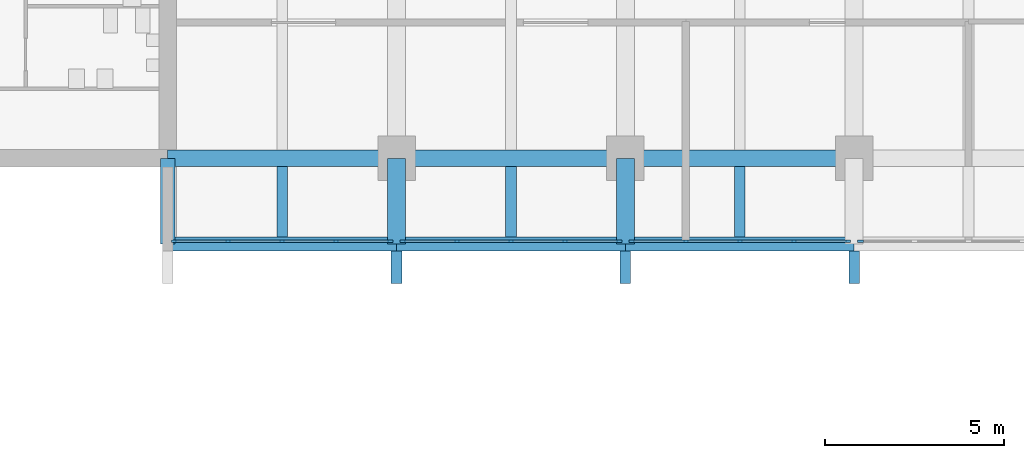
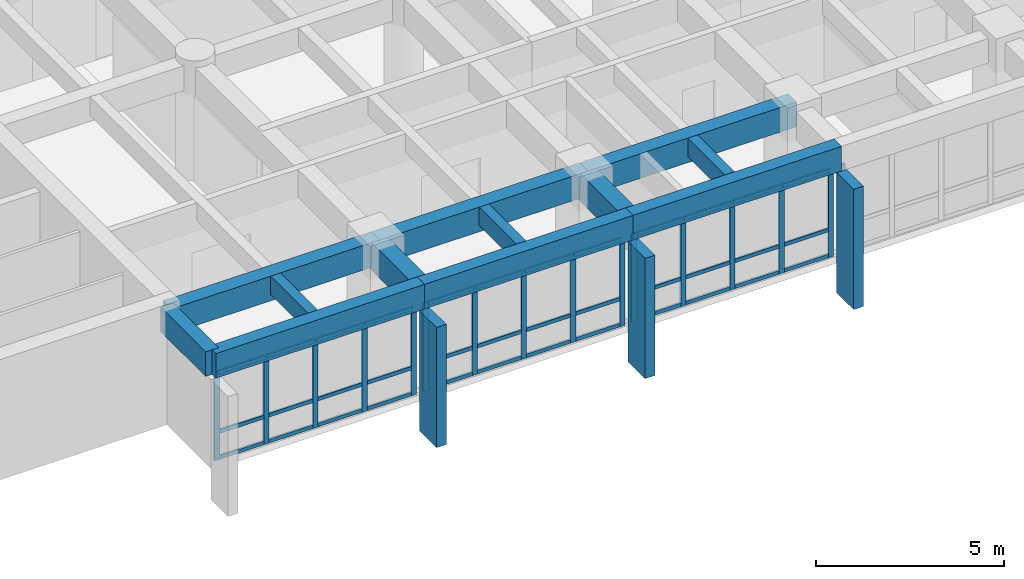
# One storey, part 2 of 19: 55 members, 12 beams, 4 elements without a shape of their own.
"""IFC4 building model written with IfcOpenShell, lengths in metres."""

from ifc_helpers import new_model, si_unit, direction, frame, origin, origin_2d, place, context, subcontext, project, spatial, rectangle, extrude, material, layer, layer_set, material_profile, profile_set, type_object, element, aggregate, save


model = new_model("IFC4")

# Units and contexts
model_context = context("Model", 3, precision=1e-05, world=origin(), true_north=direction((0.0, 1.0)))
body_context = subcontext(model_context, "Body", "Model", "MODEL_VIEW")
ifc_project = project(units=[si_unit("LENGTHUNIT", "METRE"), si_unit("AREAUNIT", "SQUARE_METRE"), si_unit("VOLUMEUNIT", "CUBIC_METRE"), si_unit("PLANEANGLEUNIT", "RADIAN"), si_unit("MASSUNIT", "GRAM", prefix="KILO")], contexts=[model_context])

# Site, building, storey
site_placement = place(None, origin())
site = spatial("IfcSite", under=ifc_project, at=site_placement, CompositionType="ELEMENT")
building_placement = place(site_placement, origin())
building = spatial("IfcBuilding", under=site, at=building_placement, Name="Fogon Plaza Fire Station and Headquarters Tower", CompositionType="ELEMENT")
storey_placement = place(building_placement, frame((0.0, 0.0, 21.0)))
storey = spatial("IfcBuildingStorey", under=building, at=storey_placement, Name="L05", CompositionType="ELEMENT", Elevation=21.0)

# Beams
ifc_material_1 = material(Name="Concrete C40", Category="concrete")
ifc_material_profile_1 = material_profile(ifc_material_1, rectangle(XDim=0.39990234375, YDim=0.800048828125, at=origin_2d()), Name="RC 400x800")
ifc_profile_set_1 = profile_set([ifc_material_profile_1], Name="Concrete C40")
beam_type_1 = type_object("IfcBeamType", Name="BEAM RC 400x800", PredefinedType="BEAM", material=ifc_profile_set_1)
for number, where, z_axis, x_axis, name in (
    (1, (25.60009765625, 31.199951171875, 3.280029296875), (1.0, 0.0, 0.0), (0.0, 1.0, 0.0), "beam-L05-039"),
    (2, (32.0, 31.199951171875, 3.280029296875), (1.0, 0.0, 0.0), (0.0, 1.0, 0.0), "beam-L05-040"),
):
    element("IfcBeam", number, at=place(storey_placement, frame(where, z_axis=z_axis, x_axis=x_axis)), inside=storey, type_object=beam_type_1, Name=name, PredefinedType="BEAM", context=body_context, shape_type="SweptSolid", body=[
        extrude(rectangle(XDim=0.39990234375, YDim=0.800048828125, at=origin_2d()), origin(), (0.0, 0.0, 1.0), 6.39990234375),
    ])
beam_1_placement = place(storey_placement, frame((38.39990234375, 31.199951171875, 3.280029296875), z_axis=(1.0, 0.0, 0.0), x_axis=(0.0, 1.0, 0.0)))
element("IfcBeam", 3, at=beam_1_placement, inside=storey, type_object=beam_type_1, Name="beam-L05-041", PredefinedType="BEAM", context=body_context, shape_type="SweptSolid", body=[
    extrude(rectangle(XDim=0.39990234375, YDim=0.800048828125, at=origin_2d()), origin(), (0.0, 0.0, 1.0), 6.400146484375),
])
ifc_material_2 = material(Name="Concrete C40", Category="concrete")
ifc_material_profile_2 = material_profile(ifc_material_2, rectangle(XDim=0.39990234375, YDim=0.800048828125, at=origin_2d()), Name="RC 400x800")
ifc_profile_set_2 = profile_set([ifc_material_profile_2], Name="Concrete C40")
beam_type_2 = type_object("IfcBeamType", Name="BEAM RC 400x800 SPAN 0.0 TO 3.0 M", PredefinedType="BEAM", material=ifc_profile_set_2)
beam_2_placement = place(storey_placement, frame((25.60009765625, 31.199951171875, 3.280029296875), z_axis=(0.0, 1.0, 0.0), x_axis=(-1.0, 0.0, 0.0)))
element("IfcBeam", 4, at=beam_2_placement, inside=storey, type_object=beam_type_2, Name="beam-L05-051", PredefinedType="BEAM", context=body_context, shape_type="SweptSolid", body=[
    extrude(rectangle(XDim=0.39990234375, YDim=0.800048828125, at=origin_2d()), origin(), (0.0, 0.0, 1.0), 2.400146484375),
])
ifc_material_3 = material(Name="Concrete C40", Category="concrete")
ifc_material_profile_3 = material_profile(ifc_material_3, rectangle(XDim=0.449951171875, YDim=0.800048828125, at=origin_2d()), Name="RC 450x800")
ifc_profile_set_3 = profile_set([ifc_material_profile_3], Name="Concrete C40")
beam_type_3 = type_object("IfcBeamType", Name="BEAM RC 450x800", PredefinedType="BEAM", material=ifc_profile_set_3)
for number, where, z_axis, x_axis, name in (
    (5, (25.60009765625, 33.60009765625, 3.280029296875), (1.0, 0.0, 0.0), (0.0, 1.0, 0.0), "beam-L05-021"),
    (6, (32.0, 33.60009765625, 3.280029296875), (1.0, 0.0, 0.0), (0.0, 1.0, 0.0), "beam-L05-022"),
):
    element("IfcBeam", number, at=place(storey_placement, frame(where, z_axis=z_axis, x_axis=x_axis)), inside=storey, type_object=beam_type_3, Name=name, PredefinedType="BEAM", context=body_context, shape_type="SweptSolid", body=[
        extrude(rectangle(XDim=0.449951171875, YDim=0.800048828125, at=origin_2d()), origin(), (0.0, 0.0, 1.0), 6.39990234375),
    ])
beam_3_placement = place(storey_placement, frame((38.39990234375, 33.60009765625, 3.280029296875), z_axis=(1.0, 0.0, 0.0), x_axis=(0.0, 1.0, 0.0)))
element("IfcBeam", 7, at=beam_3_placement, inside=storey, type_object=beam_type_3, Name="beam-L05-023", PredefinedType="BEAM", context=body_context, shape_type="SweptSolid", body=[
    extrude(rectangle(XDim=0.449951171875, YDim=0.800048828125, at=origin_2d()), origin(), (0.0, 0.0, 1.0), 6.400146484375),
])
ifc_material_4 = material(Name="Concrete C40", Category="concrete")
ifc_material_profile_4 = material_profile(ifc_material_4, rectangle(XDim=0.5, YDim=0.89990234375, at=origin_2d()), Name="RC 500x900")
ifc_profile_set_4 = profile_set([ifc_material_profile_4], Name="Concrete C40")
beam_type_4 = type_object("IfcBeamType", Name="BEAM RC 500x900 SPAN 0.0 TO 3.0 M", PredefinedType="BEAM", material=ifc_profile_set_4)
for number, where, z_axis, x_axis, name in (
    (8, (32.0, 31.199951171875, 3.22998046875), (0.0, 1.0, 0.0), (-1.0, 0.0, 0.0), "beam-L05-001"),
    (9, (38.39990234375, 31.199951171875, 3.22998046875), (0.0, 1.0, 0.0), (-1.0, 0.0, 0.0), "beam-L05-005"),
):
    element("IfcBeam", number, at=place(storey_placement, frame(where, z_axis=z_axis, x_axis=x_axis)), inside=storey, type_object=beam_type_4, Name=name, PredefinedType="BEAM", context=body_context, shape_type="SweptSolid", body=[
        extrude(rectangle(XDim=0.5, YDim=0.89990234375, at=origin_2d()), origin(), (0.0, 0.0, 1.0), 2.400146484375),
    ])

# Curtain wall, members
ifc_material_5 = material(Name="Aluminium and glass", Category="aluminium")
ifc_layer = layer(ifc_material_5, 0.14990234375)
ifc_layer_set = layer_set([ifc_layer], Name="Aluminium and glass")
curtain_wall_type = type_object("IfcCurtainWallType", Name="Unitised Curtain Wall Run 6100x2880", PredefinedType="NOTDEFINED", material=ifc_layer_set)
curtain_wall_1_placement = place(storey_placement, origin())
curtain_wall_1 = element("IfcCurtainWall", 10, at=curtain_wall_1_placement, inside=storey, type_object=curtain_wall_type, Name="CW-6100x2880 S1 L05", PredefinedType="NOTDEFINED")
ifc_material_6 = material(Name="Aluminium", Category="aluminium")
ifc_material_profile_5 = material_profile(ifc_material_6, rectangle(XDim=0.06005859375, YDim=0.159912109375, at=origin_2d()), Name="Curtain Wall Mullion 60x160")
ifc_profile_set_5 = profile_set([ifc_material_profile_5], Name="Aluminium")
member_type_1 = type_object("IfcMemberType", Name="Curtain Wall Mullion 60x160", PredefinedType="MULLION", material=ifc_profile_set_5)
member_1_placement = place(storey_placement, frame((25.780029296875, 31.280029296875, 0.0), z_axis=(0.0, 0.0, 1.0), x_axis=(0.0, 1.0, 0.0)))
member_1 = element("IfcMember", 11, at=member_1_placement, type_object=member_type_1, Name="CW-6100x2880 mullion 1", PredefinedType="MULLION", context=body_context, shape_type="SweptSolid", body=[
    extrude(rectangle(XDim=0.06005859375, YDim=0.159912109375, at=origin_2d()), origin(), (0.0, 0.0, 1.0), 2.8798828125),
])
member_2_placement = place(storey_placement, frame((27.2900390625, 31.280029296875, 0.0), z_axis=(0.0, 0.0, 1.0), x_axis=(0.0, 1.0, 0.0)))
member_2 = element("IfcMember", 12, at=member_2_placement, type_object=member_type_1, Name="CW-6100x2880 mullion 2", PredefinedType="MULLION", context=body_context, shape_type="SweptSolid", body=[
    extrude(rectangle(XDim=0.06005859375, YDim=0.159912109375, at=origin_2d()), origin(), (0.0, 0.0, 1.0), 2.8798828125),
])
member_3_placement = place(storey_placement, frame((28.800048828125, 31.280029296875, 0.0), z_axis=(0.0, 0.0, 1.0), x_axis=(0.0, 1.0, 0.0)))
member_3 = element("IfcMember", 13, at=member_3_placement, type_object=member_type_1, Name="CW-6100x2880 mullion 3", PredefinedType="MULLION", context=body_context, shape_type="SweptSolid", body=[
    extrude(rectangle(XDim=0.06005859375, YDim=0.159912109375, at=origin_2d()), origin(), (0.0, 0.0, 1.0), 2.8798828125),
])
member_4_placement = place(storey_placement, frame((30.31005859375, 31.280029296875, 0.0), z_axis=(0.0, 0.0, 1.0), x_axis=(0.0, 1.0, 0.0)))
member_4 = element("IfcMember", 14, at=member_4_placement, type_object=member_type_1, Name="CW-6100x2880 mullion 4", PredefinedType="MULLION", context=body_context, shape_type="SweptSolid", body=[
    extrude(rectangle(XDim=0.06005859375, YDim=0.159912109375, at=origin_2d()), origin(), (0.0, 0.0, 1.0), 2.8798828125),
])
member_5_placement = place(storey_placement, frame((31.820068359375, 31.280029296875, 0.0), z_axis=(0.0, 0.0, 1.0), x_axis=(0.0, 1.0, 0.0)))
member_5 = element("IfcMember", 15, at=member_5_placement, type_object=member_type_1, Name="CW-6100x2880 mullion 5", PredefinedType="MULLION", context=body_context, shape_type="SweptSolid", body=[
    extrude(rectangle(XDim=0.06005859375, YDim=0.159912109375, at=origin_2d()), origin(), (0.0, 0.0, 1.0), 2.8798828125),
])

curtain_wall_2_placement = place(storey_placement, origin())
curtain_wall_2 = element("IfcCurtainWall", 16, at=curtain_wall_2_placement, inside=storey, type_object=curtain_wall_type, Name="CW-6100x2880 S2 L05", PredefinedType="NOTDEFINED")
member_6_placement = place(storey_placement, frame((32.179931640625, 31.280029296875, 0.0), z_axis=(0.0, 0.0, 1.0), x_axis=(0.0, 1.0, 0.0)))
member_6 = element("IfcMember", 17, at=member_6_placement, type_object=member_type_1, Name="CW-6100x2880 mullion 1", PredefinedType="MULLION", context=body_context, shape_type="SweptSolid", body=[
    extrude(rectangle(XDim=0.06005859375, YDim=0.159912109375, at=origin_2d()), origin(), (0.0, 0.0, 1.0), 2.8798828125),
])
member_7_placement = place(storey_placement, frame((33.68994140625, 31.280029296875, 0.0), z_axis=(0.0, 0.0, 1.0), x_axis=(0.0, 1.0, 0.0)))
member_7 = element("IfcMember", 18, at=member_7_placement, type_object=member_type_1, Name="CW-6100x2880 mullion 2", PredefinedType="MULLION", context=body_context, shape_type="SweptSolid", body=[
    extrude(rectangle(XDim=0.06005859375, YDim=0.159912109375, at=origin_2d()), origin(), (0.0, 0.0, 1.0), 2.8798828125),
])
member_8_placement = place(storey_placement, frame((35.199951171875, 31.280029296875, 0.0), z_axis=(0.0, 0.0, 1.0), x_axis=(0.0, 1.0, 0.0)))
member_8 = element("IfcMember", 19, at=member_8_placement, type_object=member_type_1, Name="CW-6100x2880 mullion 3", PredefinedType="MULLION", context=body_context, shape_type="SweptSolid", body=[
    extrude(rectangle(XDim=0.06005859375, YDim=0.159912109375, at=origin_2d()), origin(), (0.0, 0.0, 1.0), 2.8798828125),
])
member_9_placement = place(storey_placement, frame((36.7099609375, 31.280029296875, 0.0), z_axis=(0.0, 0.0, 1.0), x_axis=(0.0, 1.0, 0.0)))
member_9 = element("IfcMember", 20, at=member_9_placement, type_object=member_type_1, Name="CW-6100x2880 mullion 4", PredefinedType="MULLION", context=body_context, shape_type="SweptSolid", body=[
    extrude(rectangle(XDim=0.06005859375, YDim=0.159912109375, at=origin_2d()), origin(), (0.0, 0.0, 1.0), 2.8798828125),
])
member_10_placement = place(storey_placement, frame((38.219970703125, 31.280029296875, 0.0), z_axis=(0.0, 0.0, 1.0), x_axis=(0.0, 1.0, 0.0)))
member_10 = element("IfcMember", 21, at=member_10_placement, type_object=member_type_1, Name="CW-6100x2880 mullion 5", PredefinedType="MULLION", context=body_context, shape_type="SweptSolid", body=[
    extrude(rectangle(XDim=0.06005859375, YDim=0.159912109375, at=origin_2d()), origin(), (0.0, 0.0, 1.0), 2.8798828125),
])

curtain_wall_3_placement = place(storey_placement, origin())
curtain_wall_3 = element("IfcCurtainWall", 22, at=curtain_wall_3_placement, inside=storey, type_object=curtain_wall_type, Name="CW-6100x2880 S3 L05", PredefinedType="NOTDEFINED")
member_11_placement = place(storey_placement, frame((38.580078125, 31.280029296875, 0.0), z_axis=(0.0, 0.0, 1.0), x_axis=(0.0, 1.0, 0.0)))
member_11 = element("IfcMember", 23, at=member_11_placement, type_object=member_type_1, Name="CW-6100x2880 mullion 1", PredefinedType="MULLION", context=body_context, shape_type="SweptSolid", body=[
    extrude(rectangle(XDim=0.06005859375, YDim=0.159912109375, at=origin_2d()), origin(), (0.0, 0.0, 1.0), 2.8798828125),
])
member_12_placement = place(storey_placement, frame((40.090087890625, 31.280029296875, 0.0), z_axis=(0.0, 0.0, 1.0), x_axis=(0.0, 1.0, 0.0)))
member_12 = element("IfcMember", 24, at=member_12_placement, type_object=member_type_1, Name="CW-6100x2880 mullion 2", PredefinedType="MULLION", context=body_context, shape_type="SweptSolid", body=[
    extrude(rectangle(XDim=0.06005859375, YDim=0.159912109375, at=origin_2d()), origin(), (0.0, 0.0, 1.0), 2.8798828125),
])
member_13_placement = place(storey_placement, frame((41.60009765625, 31.280029296875, 0.0), z_axis=(0.0, 0.0, 1.0), x_axis=(0.0, 1.0, 0.0)))
member_13 = element("IfcMember", 25, at=member_13_placement, type_object=member_type_1, Name="CW-6100x2880 mullion 3", PredefinedType="MULLION", context=body_context, shape_type="SweptSolid", body=[
    extrude(rectangle(XDim=0.06005859375, YDim=0.159912109375, at=origin_2d()), origin(), (0.0, 0.0, 1.0), 2.8798828125),
])
member_14_placement = place(storey_placement, frame((43.110107421875, 31.280029296875, 0.0), z_axis=(0.0, 0.0, 1.0), x_axis=(0.0, 1.0, 0.0)))
member_14 = element("IfcMember", 26, at=member_14_placement, type_object=member_type_1, Name="CW-6100x2880 mullion 4", PredefinedType="MULLION", context=body_context, shape_type="SweptSolid", body=[
    extrude(rectangle(XDim=0.06005859375, YDim=0.159912109375, at=origin_2d()), origin(), (0.0, 0.0, 1.0), 2.8798828125),
])
member_15_placement = place(storey_placement, frame((44.6201171875, 31.280029296875, 0.0), z_axis=(0.0, 0.0, 1.0), x_axis=(0.0, 1.0, 0.0)))
member_15 = element("IfcMember", 27, at=member_15_placement, type_object=member_type_1, Name="CW-6100x2880 mullion 5", PredefinedType="MULLION", context=body_context, shape_type="SweptSolid", body=[
    extrude(rectangle(XDim=0.06005859375, YDim=0.159912109375, at=origin_2d()), origin(), (0.0, 0.0, 1.0), 2.8798828125),
])

# Curtain wall, member
curtain_wall_4_placement = place(storey_placement, origin())
curtain_wall_4 = element("IfcCurtainWall", 28, at=curtain_wall_4_placement, inside=storey, type_object=curtain_wall_type, Name="CW-6100x2880 S4 L05", PredefinedType="NOTDEFINED")
member_16_placement = place(storey_placement, frame((44.97998046875, 31.280029296875, 0.0), z_axis=(0.0, 0.0, 1.0), x_axis=(0.0, 1.0, 0.0)))
member_16 = element("IfcMember", 29, at=member_16_placement, type_object=member_type_1, Name="CW-6100x2880 mullion 1", PredefinedType="MULLION", context=body_context, shape_type="SweptSolid", body=[
    extrude(rectangle(XDim=0.06005859375, YDim=0.159912109375, at=origin_2d()), origin(), (0.0, 0.0, 1.0), 2.8798828125),
])
aggregate(curtain_wall_4, [member_16])

# Member
ifc_material_7 = material(Name="Aluminium", Category="aluminium")
ifc_material_profile_6 = material_profile(ifc_material_7, rectangle(XDim=0.06005859375, YDim=0.1201171875, at=origin_2d()), Name="Curtain Wall Transom 60x120")
ifc_profile_set_6 = profile_set([ifc_material_profile_6], Name="Aluminium")
member_type_2 = type_object("IfcMemberType", Name="Curtain Wall Transom 60x120", PredefinedType="USERDEFINED", material=ifc_profile_set_6)
member_17_placement = place(storey_placement, frame((25.81005859375, 31.280029296875, 0.06005859375), z_axis=(1.0, 0.0, 0.0), x_axis=(0.0, 1.0, 0.0)))
member_17 = element("IfcMember", 30, at=member_17_placement, type_object=member_type_2, Name="CW-6100x2880 transom 1.1", ObjectType="TRANSOM", PredefinedType="USERDEFINED", context=body_context, shape_type="SweptSolid", body=[
    extrude(rectangle(XDim=0.06005859375, YDim=0.1201171875, at=origin_2d()), origin(), (0.0, 0.0, 1.0), 1.449951171875),
])

member_18_placement = place(storey_placement, frame((25.81005859375, 31.280029296875, 0.89990234375), z_axis=(1.0, 0.0, 0.0), x_axis=(0.0, 1.0, 0.0)))
member_18 = element("IfcMember", 31, at=member_18_placement, type_object=member_type_2, Name="CW-6100x2880 transom 1.2", ObjectType="TRANSOM", PredefinedType="USERDEFINED", context=body_context, shape_type="SweptSolid", body=[
    extrude(rectangle(XDim=0.06005859375, YDim=0.1201171875, at=origin_2d()), origin(), (0.0, 0.0, 1.0), 1.449951171875),
])

member_19_placement = place(storey_placement, frame((25.81005859375, 31.280029296875, 2.820068359375), z_axis=(1.0, 0.0, 0.0), x_axis=(0.0, 1.0, 0.0)))
member_19 = element("IfcMember", 32, at=member_19_placement, type_object=member_type_2, Name="CW-6100x2880 transom 1.3", ObjectType="TRANSOM", PredefinedType="USERDEFINED", context=body_context, shape_type="SweptSolid", body=[
    extrude(rectangle(XDim=0.06005859375, YDim=0.1201171875, at=origin_2d()), origin(), (0.0, 0.0, 1.0), 1.449951171875),
])

member_20_placement = place(storey_placement, frame((27.320068359375, 31.280029296875, 0.06005859375), z_axis=(1.0, 0.0, 0.0), x_axis=(0.0, 1.0, 0.0)))
member_20 = element("IfcMember", 33, at=member_20_placement, type_object=member_type_2, Name="CW-6100x2880 transom 2.1", ObjectType="TRANSOM", PredefinedType="USERDEFINED", context=body_context, shape_type="SweptSolid", body=[
    extrude(rectangle(XDim=0.06005859375, YDim=0.1201171875, at=origin_2d()), origin(), (0.0, 0.0, 1.0), 1.449951171875),
])

member_21_placement = place(storey_placement, frame((27.320068359375, 31.280029296875, 0.89990234375), z_axis=(1.0, 0.0, 0.0), x_axis=(0.0, 1.0, 0.0)))
member_21 = element("IfcMember", 34, at=member_21_placement, type_object=member_type_2, Name="CW-6100x2880 transom 2.2", ObjectType="TRANSOM", PredefinedType="USERDEFINED", context=body_context, shape_type="SweptSolid", body=[
    extrude(rectangle(XDim=0.06005859375, YDim=0.1201171875, at=origin_2d()), origin(), (0.0, 0.0, 1.0), 1.449951171875),
])

member_22_placement = place(storey_placement, frame((27.320068359375, 31.280029296875, 2.820068359375), z_axis=(1.0, 0.0, 0.0), x_axis=(0.0, 1.0, 0.0)))
member_22 = element("IfcMember", 35, at=member_22_placement, type_object=member_type_2, Name="CW-6100x2880 transom 2.3", ObjectType="TRANSOM", PredefinedType="USERDEFINED", context=body_context, shape_type="SweptSolid", body=[
    extrude(rectangle(XDim=0.06005859375, YDim=0.1201171875, at=origin_2d()), origin(), (0.0, 0.0, 1.0), 1.449951171875),
])

member_23_placement = place(storey_placement, frame((28.830078125, 31.280029296875, 0.06005859375), z_axis=(1.0, 0.0, 0.0), x_axis=(0.0, 1.0, 0.0)))
member_23 = element("IfcMember", 36, at=member_23_placement, type_object=member_type_2, Name="CW-6100x2880 transom 3.1", ObjectType="TRANSOM", PredefinedType="USERDEFINED", context=body_context, shape_type="SweptSolid", body=[
    extrude(rectangle(XDim=0.06005859375, YDim=0.1201171875, at=origin_2d()), origin(), (0.0, 0.0, 1.0), 1.449951171875),
])

member_24_placement = place(storey_placement, frame((28.830078125, 31.280029296875, 0.89990234375), z_axis=(1.0, 0.0, 0.0), x_axis=(0.0, 1.0, 0.0)))
member_24 = element("IfcMember", 37, at=member_24_placement, type_object=member_type_2, Name="CW-6100x2880 transom 3.2", ObjectType="TRANSOM", PredefinedType="USERDEFINED", context=body_context, shape_type="SweptSolid", body=[
    extrude(rectangle(XDim=0.06005859375, YDim=0.1201171875, at=origin_2d()), origin(), (0.0, 0.0, 1.0), 1.449951171875),
])

member_25_placement = place(storey_placement, frame((28.830078125, 31.280029296875, 2.820068359375), z_axis=(1.0, 0.0, 0.0), x_axis=(0.0, 1.0, 0.0)))
member_25 = element("IfcMember", 38, at=member_25_placement, type_object=member_type_2, Name="CW-6100x2880 transom 3.3", ObjectType="TRANSOM", PredefinedType="USERDEFINED", context=body_context, shape_type="SweptSolid", body=[
    extrude(rectangle(XDim=0.06005859375, YDim=0.1201171875, at=origin_2d()), origin(), (0.0, 0.0, 1.0), 1.449951171875),
])

member_26_placement = place(storey_placement, frame((30.340087890625, 31.280029296875, 0.06005859375), z_axis=(1.0, 0.0, 0.0), x_axis=(0.0, 1.0, 0.0)))
member_26 = element("IfcMember", 39, at=member_26_placement, type_object=member_type_2, Name="CW-6100x2880 transom 4.1", ObjectType="TRANSOM", PredefinedType="USERDEFINED", context=body_context, shape_type="SweptSolid", body=[
    extrude(rectangle(XDim=0.06005859375, YDim=0.1201171875, at=origin_2d()), origin(), (0.0, 0.0, 1.0), 1.449951171875),
])

member_27_placement = place(storey_placement, frame((30.340087890625, 31.280029296875, 0.89990234375), z_axis=(1.0, 0.0, 0.0), x_axis=(0.0, 1.0, 0.0)))
member_27 = element("IfcMember", 40, at=member_27_placement, type_object=member_type_2, Name="CW-6100x2880 transom 4.2", ObjectType="TRANSOM", PredefinedType="USERDEFINED", context=body_context, shape_type="SweptSolid", body=[
    extrude(rectangle(XDim=0.06005859375, YDim=0.1201171875, at=origin_2d()), origin(), (0.0, 0.0, 1.0), 1.449951171875),
])

member_28_placement = place(storey_placement, frame((30.340087890625, 31.280029296875, 2.820068359375), z_axis=(1.0, 0.0, 0.0), x_axis=(0.0, 1.0, 0.0)))
member_28 = element("IfcMember", 41, at=member_28_placement, type_object=member_type_2, Name="CW-6100x2880 transom 4.3", ObjectType="TRANSOM", PredefinedType="USERDEFINED", context=body_context, shape_type="SweptSolid", body=[
    extrude(rectangle(XDim=0.06005859375, YDim=0.1201171875, at=origin_2d()), origin(), (0.0, 0.0, 1.0), 1.449951171875),
])

aggregate(curtain_wall_1, [member_1, member_2, member_3, member_4, member_5, member_17, member_18, member_19, member_20, member_21, member_22, member_23, member_24, member_25, member_26, member_27, member_28])

member_29_placement = place(storey_placement, frame((32.2099609375, 31.280029296875, 0.06005859375), z_axis=(1.0, 0.0, 0.0), x_axis=(0.0, 1.0, 0.0)))
member_29 = element("IfcMember", 42, at=member_29_placement, type_object=member_type_2, Name="CW-6100x2880 transom 1.1", ObjectType="TRANSOM", PredefinedType="USERDEFINED", context=body_context, shape_type="SweptSolid", body=[
    extrude(rectangle(XDim=0.06005859375, YDim=0.1201171875, at=origin_2d()), origin(), (0.0, 0.0, 1.0), 1.449951171875),
])

member_30_placement = place(storey_placement, frame((32.2099609375, 31.280029296875, 0.89990234375), z_axis=(1.0, 0.0, 0.0), x_axis=(0.0, 1.0, 0.0)))
member_30 = element("IfcMember", 43, at=member_30_placement, type_object=member_type_2, Name="CW-6100x2880 transom 1.2", ObjectType="TRANSOM", PredefinedType="USERDEFINED", context=body_context, shape_type="SweptSolid", body=[
    extrude(rectangle(XDim=0.06005859375, YDim=0.1201171875, at=origin_2d()), origin(), (0.0, 0.0, 1.0), 1.449951171875),
])

member_31_placement = place(storey_placement, frame((32.2099609375, 31.280029296875, 2.820068359375), z_axis=(1.0, 0.0, 0.0), x_axis=(0.0, 1.0, 0.0)))
member_31 = element("IfcMember", 44, at=member_31_placement, type_object=member_type_2, Name="CW-6100x2880 transom 1.3", ObjectType="TRANSOM", PredefinedType="USERDEFINED", context=body_context, shape_type="SweptSolid", body=[
    extrude(rectangle(XDim=0.06005859375, YDim=0.1201171875, at=origin_2d()), origin(), (0.0, 0.0, 1.0), 1.449951171875),
])

member_32_placement = place(storey_placement, frame((33.719970703125, 31.280029296875, 0.06005859375), z_axis=(1.0, 0.0, 0.0), x_axis=(0.0, 1.0, 0.0)))
member_32 = element("IfcMember", 45, at=member_32_placement, type_object=member_type_2, Name="CW-6100x2880 transom 2.1", ObjectType="TRANSOM", PredefinedType="USERDEFINED", context=body_context, shape_type="SweptSolid", body=[
    extrude(rectangle(XDim=0.06005859375, YDim=0.1201171875, at=origin_2d()), origin(), (0.0, 0.0, 1.0), 1.449951171875),
])

member_33_placement = place(storey_placement, frame((33.719970703125, 31.280029296875, 0.89990234375), z_axis=(1.0, 0.0, 0.0), x_axis=(0.0, 1.0, 0.0)))
member_33 = element("IfcMember", 46, at=member_33_placement, type_object=member_type_2, Name="CW-6100x2880 transom 2.2", ObjectType="TRANSOM", PredefinedType="USERDEFINED", context=body_context, shape_type="SweptSolid", body=[
    extrude(rectangle(XDim=0.06005859375, YDim=0.1201171875, at=origin_2d()), origin(), (0.0, 0.0, 1.0), 1.449951171875),
])

member_34_placement = place(storey_placement, frame((33.719970703125, 31.280029296875, 2.820068359375), z_axis=(1.0, 0.0, 0.0), x_axis=(0.0, 1.0, 0.0)))
member_34 = element("IfcMember", 47, at=member_34_placement, type_object=member_type_2, Name="CW-6100x2880 transom 2.3", ObjectType="TRANSOM", PredefinedType="USERDEFINED", context=body_context, shape_type="SweptSolid", body=[
    extrude(rectangle(XDim=0.06005859375, YDim=0.1201171875, at=origin_2d()), origin(), (0.0, 0.0, 1.0), 1.449951171875),
])

member_35_placement = place(storey_placement, frame((35.22998046875, 31.280029296875, 0.06005859375), z_axis=(1.0, 0.0, 0.0), x_axis=(0.0, 1.0, 0.0)))
member_35 = element("IfcMember", 48, at=member_35_placement, type_object=member_type_2, Name="CW-6100x2880 transom 3.1", ObjectType="TRANSOM", PredefinedType="USERDEFINED", context=body_context, shape_type="SweptSolid", body=[
    extrude(rectangle(XDim=0.06005859375, YDim=0.1201171875, at=origin_2d()), origin(), (0.0, 0.0, 1.0), 1.449951171875),
])

member_36_placement = place(storey_placement, frame((35.22998046875, 31.280029296875, 0.89990234375), z_axis=(1.0, 0.0, 0.0), x_axis=(0.0, 1.0, 0.0)))
member_36 = element("IfcMember", 49, at=member_36_placement, type_object=member_type_2, Name="CW-6100x2880 transom 3.2", ObjectType="TRANSOM", PredefinedType="USERDEFINED", context=body_context, shape_type="SweptSolid", body=[
    extrude(rectangle(XDim=0.06005859375, YDim=0.1201171875, at=origin_2d()), origin(), (0.0, 0.0, 1.0), 1.449951171875),
])

member_37_placement = place(storey_placement, frame((35.22998046875, 31.280029296875, 2.820068359375), z_axis=(1.0, 0.0, 0.0), x_axis=(0.0, 1.0, 0.0)))
member_37 = element("IfcMember", 50, at=member_37_placement, type_object=member_type_2, Name="CW-6100x2880 transom 3.3", ObjectType="TRANSOM", PredefinedType="USERDEFINED", context=body_context, shape_type="SweptSolid", body=[
    extrude(rectangle(XDim=0.06005859375, YDim=0.1201171875, at=origin_2d()), origin(), (0.0, 0.0, 1.0), 1.449951171875),
])

member_38_placement = place(storey_placement, frame((36.739990234375, 31.280029296875, 0.06005859375), z_axis=(1.0, 0.0, 0.0), x_axis=(0.0, 1.0, 0.0)))
member_38 = element("IfcMember", 51, at=member_38_placement, type_object=member_type_2, Name="CW-6100x2880 transom 4.1", ObjectType="TRANSOM", PredefinedType="USERDEFINED", context=body_context, shape_type="SweptSolid", body=[
    extrude(rectangle(XDim=0.06005859375, YDim=0.1201171875, at=origin_2d()), origin(), (0.0, 0.0, 1.0), 1.449951171875),
])

member_39_placement = place(storey_placement, frame((36.739990234375, 31.280029296875, 0.89990234375), z_axis=(1.0, 0.0, 0.0), x_axis=(0.0, 1.0, 0.0)))
member_39 = element("IfcMember", 52, at=member_39_placement, type_object=member_type_2, Name="CW-6100x2880 transom 4.2", ObjectType="TRANSOM", PredefinedType="USERDEFINED", context=body_context, shape_type="SweptSolid", body=[
    extrude(rectangle(XDim=0.06005859375, YDim=0.1201171875, at=origin_2d()), origin(), (0.0, 0.0, 1.0), 1.449951171875),
])

member_40_placement = place(storey_placement, frame((36.739990234375, 31.280029296875, 2.820068359375), z_axis=(1.0, 0.0, 0.0), x_axis=(0.0, 1.0, 0.0)))
member_40 = element("IfcMember", 53, at=member_40_placement, type_object=member_type_2, Name="CW-6100x2880 transom 4.3", ObjectType="TRANSOM", PredefinedType="USERDEFINED", context=body_context, shape_type="SweptSolid", body=[
    extrude(rectangle(XDim=0.06005859375, YDim=0.1201171875, at=origin_2d()), origin(), (0.0, 0.0, 1.0), 1.449951171875),
])

aggregate(curtain_wall_2, [member_6, member_7, member_8, member_9, member_10, member_29, member_30, member_31, member_32, member_33, member_34, member_35, member_36, member_37, member_38, member_39, member_40])

member_41_placement = place(storey_placement, frame((38.610107421875, 31.280029296875, 0.06005859375), z_axis=(1.0, 0.0, 0.0), x_axis=(0.0, 1.0, 0.0)))
member_41 = element("IfcMember", 54, at=member_41_placement, type_object=member_type_2, Name="CW-6100x2880 transom 1.1", ObjectType="TRANSOM", PredefinedType="USERDEFINED", context=body_context, shape_type="SweptSolid", body=[
    extrude(rectangle(XDim=0.06005859375, YDim=0.1201171875, at=origin_2d()), origin(), (0.0, 0.0, 1.0), 1.449951171875),
])

member_42_placement = place(storey_placement, frame((38.610107421875, 31.280029296875, 0.89990234375), z_axis=(1.0, 0.0, 0.0), x_axis=(0.0, 1.0, 0.0)))
member_42 = element("IfcMember", 55, at=member_42_placement, type_object=member_type_2, Name="CW-6100x2880 transom 1.2", ObjectType="TRANSOM", PredefinedType="USERDEFINED", context=body_context, shape_type="SweptSolid", body=[
    extrude(rectangle(XDim=0.06005859375, YDim=0.1201171875, at=origin_2d()), origin(), (0.0, 0.0, 1.0), 1.449951171875),
])

member_43_placement = place(storey_placement, frame((38.610107421875, 31.280029296875, 2.820068359375), z_axis=(1.0, 0.0, 0.0), x_axis=(0.0, 1.0, 0.0)))
member_43 = element("IfcMember", 56, at=member_43_placement, type_object=member_type_2, Name="CW-6100x2880 transom 1.3", ObjectType="TRANSOM", PredefinedType="USERDEFINED", context=body_context, shape_type="SweptSolid", body=[
    extrude(rectangle(XDim=0.06005859375, YDim=0.1201171875, at=origin_2d()), origin(), (0.0, 0.0, 1.0), 1.449951171875),
])

member_44_placement = place(storey_placement, frame((40.1201171875, 31.280029296875, 0.06005859375), z_axis=(1.0, 0.0, 0.0), x_axis=(0.0, 1.0, 0.0)))
member_44 = element("IfcMember", 57, at=member_44_placement, type_object=member_type_2, Name="CW-6100x2880 transom 2.1", ObjectType="TRANSOM", PredefinedType="USERDEFINED", context=body_context, shape_type="SweptSolid", body=[
    extrude(rectangle(XDim=0.06005859375, YDim=0.1201171875, at=origin_2d()), origin(), (0.0, 0.0, 1.0), 1.449951171875),
])

member_45_placement = place(storey_placement, frame((40.1201171875, 31.280029296875, 0.89990234375), z_axis=(1.0, 0.0, 0.0), x_axis=(0.0, 1.0, 0.0)))
member_45 = element("IfcMember", 58, at=member_45_placement, type_object=member_type_2, Name="CW-6100x2880 transom 2.2", ObjectType="TRANSOM", PredefinedType="USERDEFINED", context=body_context, shape_type="SweptSolid", body=[
    extrude(rectangle(XDim=0.06005859375, YDim=0.1201171875, at=origin_2d()), origin(), (0.0, 0.0, 1.0), 1.449951171875),
])

member_46_placement = place(storey_placement, frame((40.1201171875, 31.280029296875, 2.820068359375), z_axis=(1.0, 0.0, 0.0), x_axis=(0.0, 1.0, 0.0)))
member_46 = element("IfcMember", 59, at=member_46_placement, type_object=member_type_2, Name="CW-6100x2880 transom 2.3", ObjectType="TRANSOM", PredefinedType="USERDEFINED", context=body_context, shape_type="SweptSolid", body=[
    extrude(rectangle(XDim=0.06005859375, YDim=0.1201171875, at=origin_2d()), origin(), (0.0, 0.0, 1.0), 1.449951171875),
])

member_47_placement = place(storey_placement, frame((41.6298828125, 31.280029296875, 0.06005859375), z_axis=(1.0, 0.0, 0.0), x_axis=(0.0, 1.0, 0.0)))
member_47 = element("IfcMember", 60, at=member_47_placement, type_object=member_type_2, Name="CW-6100x2880 transom 3.1", ObjectType="TRANSOM", PredefinedType="USERDEFINED", context=body_context, shape_type="SweptSolid", body=[
    extrude(rectangle(XDim=0.06005859375, YDim=0.1201171875, at=origin_2d()), origin(), (0.0, 0.0, 1.0), 1.4501953125),
])

member_48_placement = place(storey_placement, frame((41.6298828125, 31.280029296875, 0.89990234375), z_axis=(1.0, 0.0, 0.0), x_axis=(0.0, 1.0, 0.0)))
member_48 = element("IfcMember", 61, at=member_48_placement, type_object=member_type_2, Name="CW-6100x2880 transom 3.2", ObjectType="TRANSOM", PredefinedType="USERDEFINED", context=body_context, shape_type="SweptSolid", body=[
    extrude(rectangle(XDim=0.06005859375, YDim=0.1201171875, at=origin_2d()), origin(), (0.0, 0.0, 1.0), 1.4501953125),
])

member_49_placement = place(storey_placement, frame((41.6298828125, 31.280029296875, 2.820068359375), z_axis=(1.0, 0.0, 0.0), x_axis=(0.0, 1.0, 0.0)))
member_49 = element("IfcMember", 62, at=member_49_placement, type_object=member_type_2, Name="CW-6100x2880 transom 3.3", ObjectType="TRANSOM", PredefinedType="USERDEFINED", context=body_context, shape_type="SweptSolid", body=[
    extrude(rectangle(XDim=0.06005859375, YDim=0.1201171875, at=origin_2d()), origin(), (0.0, 0.0, 1.0), 1.4501953125),
])

member_50_placement = place(storey_placement, frame((43.139892578125, 31.280029296875, 0.06005859375), z_axis=(1.0, 0.0, 0.0), x_axis=(0.0, 1.0, 0.0)))
member_50 = element("IfcMember", 63, at=member_50_placement, type_object=member_type_2, Name="CW-6100x2880 transom 4.1", ObjectType="TRANSOM", PredefinedType="USERDEFINED", context=body_context, shape_type="SweptSolid", body=[
    extrude(rectangle(XDim=0.06005859375, YDim=0.1201171875, at=origin_2d()), origin(), (0.0, 0.0, 1.0), 1.4501953125),
])

member_51_placement = place(storey_placement, frame((43.139892578125, 31.280029296875, 0.89990234375), z_axis=(1.0, 0.0, 0.0), x_axis=(0.0, 1.0, 0.0)))
member_51 = element("IfcMember", 64, at=member_51_placement, type_object=member_type_2, Name="CW-6100x2880 transom 4.2", ObjectType="TRANSOM", PredefinedType="USERDEFINED", context=body_context, shape_type="SweptSolid", body=[
    extrude(rectangle(XDim=0.06005859375, YDim=0.1201171875, at=origin_2d()), origin(), (0.0, 0.0, 1.0), 1.4501953125),
])

member_52_placement = place(storey_placement, frame((43.139892578125, 31.280029296875, 2.820068359375), z_axis=(1.0, 0.0, 0.0), x_axis=(0.0, 1.0, 0.0)))
member_52 = element("IfcMember", 65, at=member_52_placement, type_object=member_type_2, Name="CW-6100x2880 transom 4.3", ObjectType="TRANSOM", PredefinedType="USERDEFINED", context=body_context, shape_type="SweptSolid", body=[
    extrude(rectangle(XDim=0.06005859375, YDim=0.1201171875, at=origin_2d()), origin(), (0.0, 0.0, 1.0), 1.4501953125),
])

aggregate(curtain_wall_3, [member_11, member_12, member_13, member_14, member_15, member_41, member_42, member_43, member_44, member_45, member_46, member_47, member_48, member_49, member_50, member_51, member_52])

# Beams
ifc_material_8 = material(Name="Concrete C40", Category="concrete")
ifc_material_profile_7 = material_profile(ifc_material_8, rectangle(XDim=0.300048828125, YDim=0.60009765625, at=origin_2d()), Name="RC 300x600")
ifc_profile_set_7 = profile_set([ifc_material_profile_7], Name="Concrete C40")
beam_type_5 = type_object("IfcBeamType", Name="JOIST RC 300x600 SPAN 0.0 TO 3.0 M", PredefinedType="JOIST", material=ifc_profile_set_7)
for number, where, z_axis, x_axis, name in (
    (66, (28.800048828125, 31.39990234375, 3.3798828125), (0.0, 1.0, 0.0), (-1.0, 0.0, 0.0), "beam-L05-055"),
    (67, (35.199951171875, 31.39990234375, 3.3798828125), (0.0, 1.0, 0.0), (-1.0, 0.0, 0.0), "beam-L05-059"),
    (68, (41.60009765625, 31.39990234375, 3.3798828125), (0.0, 1.0, 0.0), (-1.0, 0.0, 0.0), "beam-L05-063"),
):
    element("IfcBeam", number, at=place(storey_placement, frame(where, z_axis=z_axis, x_axis=x_axis)), inside=storey, type_object=beam_type_5, Name=name, PredefinedType="JOIST", context=body_context, shape_type="SweptSolid", body=[
        extrude(rectangle(XDim=0.300048828125, YDim=0.60009765625, at=origin_2d()), origin(), (0.0, 0.0, 1.0), 1.97509765625),
    ])

# Members
ifc_material_9 = material(Name="Concrete C40 precast", Category="concrete")
ifc_material_profile_8 = material_profile(ifc_material_9, rectangle(XDim=0.300048828125, YDim=0.89990234375, at=origin_2d()), Name="Precast Concrete Post 300x900")
ifc_profile_set_8 = profile_set([ifc_material_profile_8], Name="Concrete C40 precast")
member_type_3 = type_object("IfcMemberType", Name="Precast Concrete Post 300x900", PredefinedType="POST", material=ifc_profile_set_8)
for number, where, z_axis, x_axis, name in (
    (69, (32.0, 30.550048828125, -1.02001953125), (0.0, 0.0, 1.0), (1.0, 0.0, 0.0), "Precast Post S L05"),
    (70, (38.39990234375, 30.550048828125, -1.02001953125), (0.0, 0.0, 1.0), (1.0, 0.0, 0.0), "Precast Post S L05"),
    (71, (44.800048828125, 30.550048828125, -1.02001953125), (0.0, 0.0, 1.0), (1.0, 0.0, 0.0), "Precast Post S L05"),
):
    element("IfcMember", number, at=place(storey_placement, frame(where, z_axis=z_axis, x_axis=x_axis)), inside=storey, type_object=member_type_3, Name=name, PredefinedType="POST", context=body_context, shape_type="SweptSolid", body=[
        extrude(rectangle(XDim=0.300048828125, YDim=0.89990234375, at=origin_2d()), origin(), (0.0, 0.0, 1.0), 3.89990234375),
    ])

save(model, "model.ifc")
